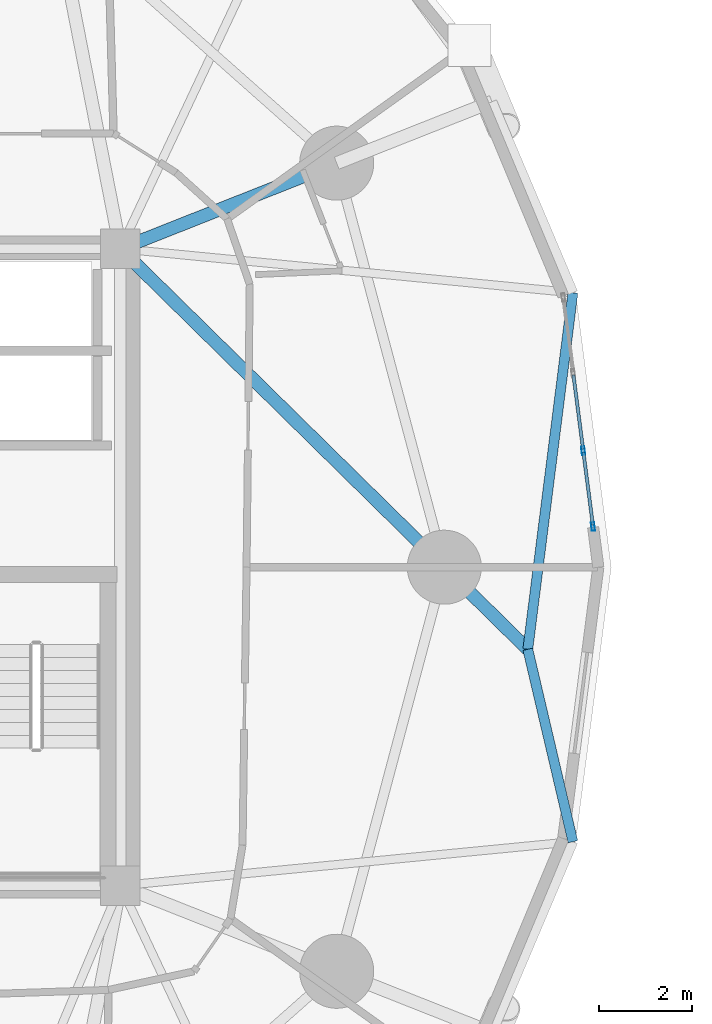
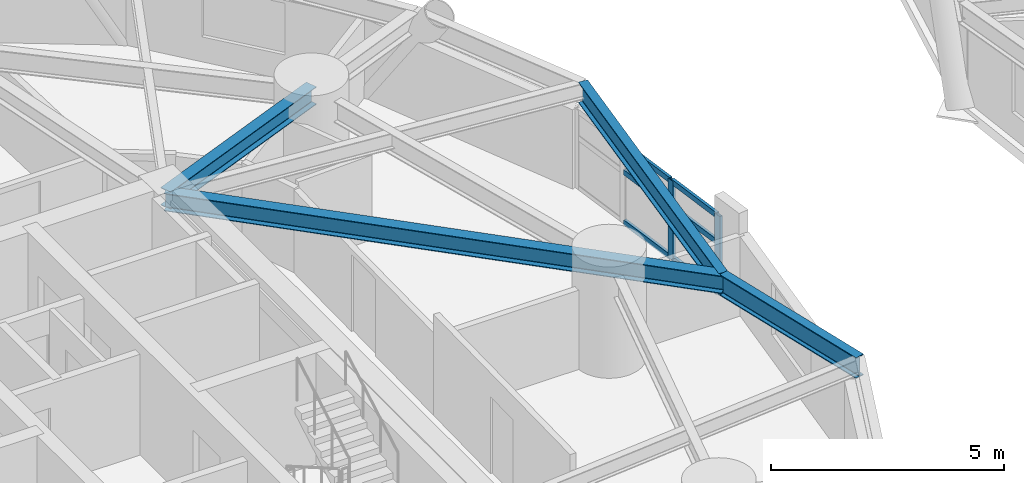
# One storey, part 2 of 19: 8 members, 4 beams, 1 element without a shape of its own.
"""IFC4 building model written with IfcOpenShell, lengths in metres."""

from ifc_helpers import new_model, si_unit, direction, frame, origin, origin_2d, place, context, subcontext, project, spatial, hollow_rectangle, i_section, extrude, material, layer, layer_set, material_profile, profile_set, type_object, element, aggregate, save


model = new_model("IFC4")

# Units and contexts
model_context = context("Model", 3, precision=1e-05, world=origin(), true_north=direction((0.0, 1.0)))
body_context = subcontext(model_context, "Body", "Model", "MODEL_VIEW")
ifc_project = project(units=[si_unit("LENGTHUNIT", "METRE"), si_unit("AREAUNIT", "SQUARE_METRE"), si_unit("VOLUMEUNIT", "CUBIC_METRE"), si_unit("PLANEANGLEUNIT", "RADIAN"), si_unit("MASSUNIT", "GRAM", prefix="KILO")], contexts=[model_context])

# Site, building, storey
site_placement = place(None, origin())
site = spatial("IfcSite", under=ifc_project, at=site_placement, CompositionType="ELEMENT")
building_placement = place(site_placement, origin())
building = spatial("IfcBuilding", under=site, at=building_placement, Name="Cununo Teusaquillo Station Towers", CompositionType="ELEMENT")
storey_placement = place(building_placement, frame((0.0, 0.0, 30.72998046875)))
storey = spatial("IfcBuildingStorey", under=building, at=storey_placement, Name="L08", CompositionType="ELEMENT", Elevation=30.72998046875)

# Beams
ifc_material_1 = material(Name="Steel ASTM A572 Grade 50", Category="steel")
ifc_material_profile_1 = material_profile(ifc_material_1, i_section(OverallWidth=0.280029296875, OverallDepth=0.462890625, WebThickness=0.0107421875, FlangeThickness=0.017333984375, FilletRadius=0.013916015625, at=origin_2d()), Name="W18X76")
ifc_profile_set_1 = profile_set([ifc_material_profile_1], Name="Steel ASTM A572 Grade 50")
beam_type_1 = type_object("IfcBeamType", Name="BM-RAD-G1", PredefinedType="BEAM", material=ifc_profile_set_1)
beam_1_placement = place(storey_placement, frame((21.675048828125, 31.3798828125, 2.41845703125), z_axis=(0.713055489462, -0.701107601548, 0.0), x_axis=(0.701107601548, 0.713055489462, 0.0)))
element("IfcBeam", 1, at=beam_1_placement, inside=storey, type_object=beam_type_1, Name="L08 Tower A Continuous Overhanging Radial Girder 01", PredefinedType="BEAM", context=body_context, shape_type="SweptSolid", body=[
    extrude(i_section(OverallWidth=0.280029296875, OverallDepth=0.462890625, WebThickness=0.0107421875, FlangeThickness=0.017333984375, FilletRadius=0.013916015625, at=origin_2d()), origin(), (0.0, 0.0, 1.0), 12.342041015625),
])
beam_2_placement = place(storey_placement, frame((21.675048828125, 31.3798828125, 2.41845703125), z_axis=(0.929864104313, 0.367903176814, 0.0), x_axis=(-0.367903176814, 0.929864104313, 0.0)))
element("IfcBeam", 2, at=beam_2_placement, inside=storey, type_object=beam_type_1, Name="L08 Tower A Radial Girder 02A", PredefinedType="BEAM", context=body_context, shape_type="SweptSolid", body=[
    extrude(i_section(OverallWidth=0.280029296875, OverallDepth=0.462890625, WebThickness=0.0107421875, FlangeThickness=0.017333984375, FilletRadius=0.013916015625, at=origin_2d()), origin(), (0.0, 0.0, 1.0), 5.02490234375),
])
ifc_material_2 = material(Name="Steel ASTM A572 Grade 50", Category="steel")
ifc_material_profile_2 = material_profile(ifc_material_2, i_section(OverallWidth=0.214111328125, OverallDepth=0.549072265625, WebThickness=0.0146484375, FlangeThickness=0.023681640625, FilletRadius=0.014892578125, at=origin_2d()), Name="W21X93")
ifc_profile_set_2 = profile_set([ifc_material_profile_2], Name="Steel ASTM A572 Grade 50")
beam_type_2 = type_object("IfcBeamType", Name="BM-RING-Z1", PredefinedType="SPANDREL", material=ifc_profile_set_2)
beam_3_placement = place(storey_placement, frame((30.4755859375, 22.726806640625, 2.37548828125), z_axis=(0.125458746224, 0.992098837312, 0.0), x_axis=(-0.992098837312, 0.125458746224, 0.0)))
element("IfcBeam", 3, at=beam_3_placement, inside=storey, type_object=beam_type_2, Name="L08 Tower A Spandrel Ring Beam 01", PredefinedType="SPANDREL", context=body_context, shape_type="SweptSolid", body=[
    extrude(i_section(OverallWidth=0.214111328125, OverallDepth=0.549072265625, WebThickness=0.0146484375, FlangeThickness=0.023681640625, FilletRadius=0.014892578125, at=origin_2d()), origin(), (0.0, 0.0, 1.0), 7.764404296875),
])
beam_4_placement = place(storey_placement, frame((31.44970703125, 18.570068359375, 2.37548828125), z_axis=(-0.228165913287, 0.97362226557, 0.0), x_axis=(-0.97362226557, -0.228165913287, 0.0)))
element("IfcBeam", 4, at=beam_4_placement, inside=storey, type_object=beam_type_2, Name="L08 Tower A Spandrel Ring Beam 20", PredefinedType="SPANDREL", context=body_context, shape_type="SweptSolid", body=[
    extrude(i_section(OverallWidth=0.214111328125, OverallDepth=0.549072265625, WebThickness=0.0146484375, FlangeThickness=0.023681640625, FilletRadius=0.014892578125, at=origin_2d()), origin(), (0.0, 0.0, 1.0), 4.269287109375),
])

# Curtain wall, members
ifc_material_3 = material(Name="Ceramic-fritted dark low-E double glazing", Category="glass")
ifc_layer = layer(ifc_material_3, 0.179931640625)
ifc_layer_set = layer_set([ifc_layer], Name="Ceramic-fritted dark low-E double glazing")
curtain_wall_type = type_object("IfcCurtainWallType", Name="CW-SYS-02", PredefinedType="USERDEFINED", material=ifc_layer_set)
curtain_wall_placement = place(storey_placement, origin())
curtain_wall = element("IfcCurtainWall", 5, at=curtain_wall_placement, inside=storey, type_object=curtain_wall_type, Name="L08 Tower A Facade Curtain Wall C00", ObjectType="FRITTED GLAZING", PredefinedType="USERDEFINED")
ifc_material_4 = material(Name="Anodised dark bronze aluminium EN AW-6063-T6", Category="aluminium")
ifc_material_profile_3 = material_profile(ifc_material_4, hollow_rectangle(XDim=0.070068359375, YDim=0.179931640625, WallThickness=0.00390625, at=origin_2d()), Name="CW-MULL-70x180")
ifc_profile_set_3 = profile_set([ifc_material_profile_3], Name="Anodised dark bronze aluminium EN AW-6063-T6")
member_type_1 = type_object("IfcMemberType", Name="CWM-180", PredefinedType="MULLION", material=ifc_profile_set_3)
member_1_placement = place(storey_placement, frame((31.67333984375, 27.01611328125, 0.0), z_axis=(0.0, 0.0, 1.0), x_axis=(0.991730798481, 0.128335588771, 0.0)))
member_1 = element("IfcMember", 6, at=member_1_placement, type_object=member_type_1, Name="CW-02 mullion 3", PredefinedType="MULLION", context=body_context, shape_type="SweptSolid", body=[
    extrude(hollow_rectangle(XDim=0.070068359375, YDim=0.179931640625, WallThickness=0.00390625, at=origin_2d()), origin(), (0.0, 0.0, 1.0), 2.072998046875),
])
member_2_placement = place(storey_placement, frame((31.885498046875, 25.377685546875, 0.0), z_axis=(0.0, 0.0, 1.0), x_axis=(0.991730798481, 0.128335588771, 0.0)))
member_2 = element("IfcMember", 7, at=member_2_placement, type_object=member_type_1, Name="CW-02 mullion 4", PredefinedType="MULLION", context=body_context, shape_type="SweptSolid", body=[
    extrude(hollow_rectangle(XDim=0.070068359375, YDim=0.179931640625, WallThickness=0.00390625, at=origin_2d()), origin(), (0.0, 0.0, 1.0), 2.072998046875),
])
ifc_material_5 = material(Name="Anodised dark bronze aluminium EN AW-6063-T6", Category="aluminium")
ifc_material_profile_4 = material_profile(ifc_material_5, hollow_rectangle(XDim=0.070068359375, YDim=0.139892578125, WallThickness=0.00390625, at=origin_2d()), Name="CW-TRAN-70x140")
ifc_profile_set_4 = profile_set([ifc_material_profile_4], Name="Anodised dark bronze aluminium EN AW-6063-T6")
member_type_2 = type_object("IfcMemberType", Name="CWT-140", PredefinedType="USERDEFINED", material=ifc_profile_set_4)
member_3_placement = place(storey_placement, frame((31.46142578125, 28.654296875, 0.034912109375), z_axis=(0.128345027476, -0.991729577013, 0.0), x_axis=(0.991729577013, 0.128345027476, 0.0)))
member_3 = element("IfcMember", 8, at=member_3_placement, type_object=member_type_2, Name="CW-02 transom 2.1", ObjectType="TRANSOM", PredefinedType="USERDEFINED", context=body_context, shape_type="SweptSolid", body=[
    extrude(hollow_rectangle(XDim=0.070068359375, YDim=0.139892578125, WallThickness=0.00390625, at=origin_2d()), origin(), (0.0, 0.0, 1.0), 1.616943359375),
])
member_4_placement = place(storey_placement, frame((31.46142578125, 28.654296875, 1.346923828125), z_axis=(0.128345027476, -0.991729577013, 0.0), x_axis=(0.991729577013, 0.128345027476, 0.0)))
member_4 = element("IfcMember", 9, at=member_4_placement, type_object=member_type_2, Name="CW-02 transom 2.2", ObjectType="TRANSOM", PredefinedType="USERDEFINED", context=body_context, shape_type="SweptSolid", body=[
    extrude(hollow_rectangle(XDim=0.070068359375, YDim=0.139892578125, WallThickness=0.00390625, at=origin_2d()), origin(), (0.0, 0.0, 1.0), 1.616943359375),
])
member_5_placement = place(storey_placement, frame((31.46142578125, 28.654296875, 2.0380859375), z_axis=(0.128345027476, -0.991729577013, 0.0), x_axis=(0.991729577013, 0.128345027476, 0.0)))
member_5 = element("IfcMember", 10, at=member_5_placement, type_object=member_type_2, Name="CW-02 transom 2.3", ObjectType="TRANSOM", PredefinedType="USERDEFINED", context=body_context, shape_type="SweptSolid", body=[
    extrude(hollow_rectangle(XDim=0.070068359375, YDim=0.139892578125, WallThickness=0.00390625, at=origin_2d()), origin(), (0.0, 0.0, 1.0), 1.616943359375),
])
member_6_placement = place(storey_placement, frame((31.677978515625, 26.981201171875, 0.034912109375), z_axis=(0.128250458302, -0.991741811131, 0.0), x_axis=(0.991741811131, 0.128250458302, 0.0)))
member_6 = element("IfcMember", 11, at=member_6_placement, type_object=member_type_2, Name="CW-02 transom 3.1", ObjectType="TRANSOM", PredefinedType="USERDEFINED", context=body_context, shape_type="SweptSolid", body=[
    extrude(hollow_rectangle(XDim=0.070068359375, YDim=0.139892578125, WallThickness=0.00390625, at=origin_2d()), origin(), (0.0, 0.0, 1.0), 1.58203125),
])
member_7_placement = place(storey_placement, frame((31.677978515625, 26.981201171875, 1.346923828125), z_axis=(0.128250458302, -0.991741811131, 0.0), x_axis=(0.991741811131, 0.128250458302, 0.0)))
member_7 = element("IfcMember", 12, at=member_7_placement, type_object=member_type_2, Name="CW-02 transom 3.2", ObjectType="TRANSOM", PredefinedType="USERDEFINED", context=body_context, shape_type="SweptSolid", body=[
    extrude(hollow_rectangle(XDim=0.070068359375, YDim=0.139892578125, WallThickness=0.00390625, at=origin_2d()), origin(), (0.0, 0.0, 1.0), 1.58203125),
])
member_8_placement = place(storey_placement, frame((31.677978515625, 26.981201171875, 2.0380859375), z_axis=(0.128250458302, -0.991741811131, 0.0), x_axis=(0.991741811131, 0.128250458302, 0.0)))
member_8 = element("IfcMember", 13, at=member_8_placement, type_object=member_type_2, Name="CW-02 transom 3.3", ObjectType="TRANSOM", PredefinedType="USERDEFINED", context=body_context, shape_type="SweptSolid", body=[
    extrude(hollow_rectangle(XDim=0.070068359375, YDim=0.139892578125, WallThickness=0.00390625, at=origin_2d()), origin(), (0.0, 0.0, 1.0), 1.58203125),
])
aggregate(curtain_wall, [member_1, member_2, member_3, member_4, member_5, member_6, member_7, member_8])

save(model, "model.ifc")
